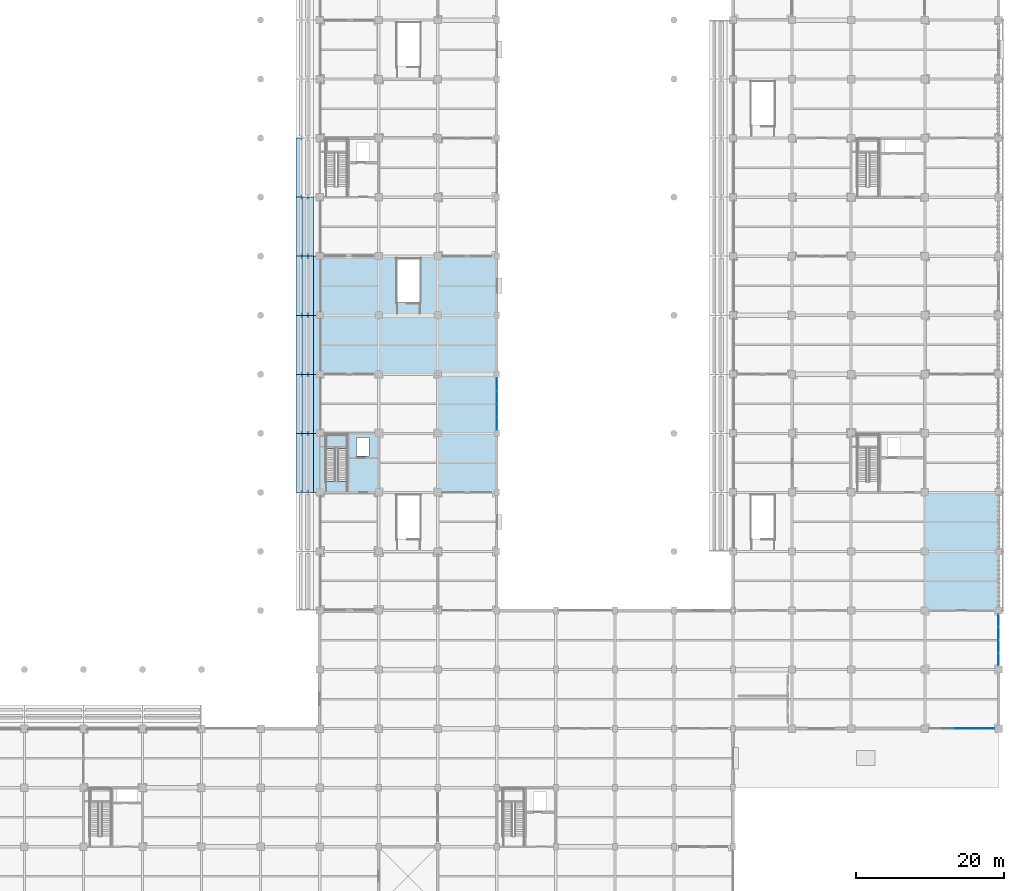
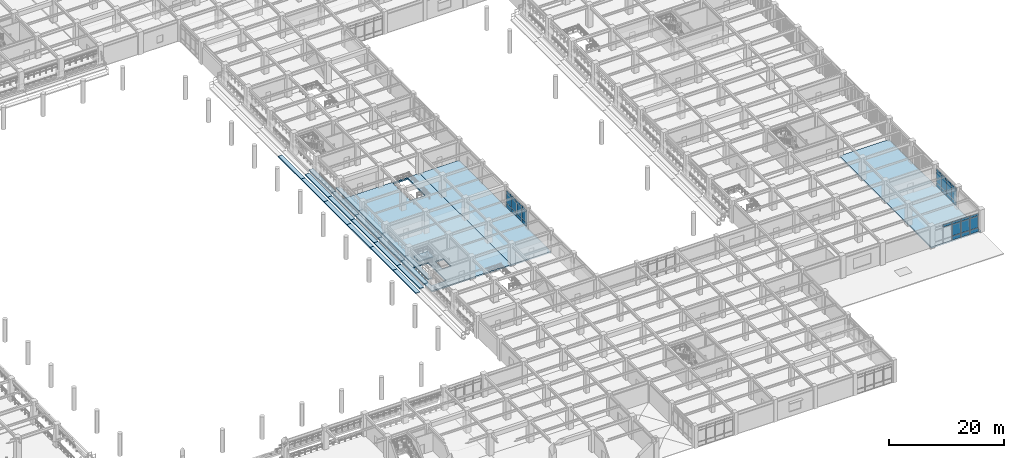
# One storey, part 63 of 117: 34 plates, 24 slabs, 4 elements without a shape of their own.
"""IFC4 building model written with IfcOpenShell, lengths in metres."""

import ifcopenshell
import ifcopenshell.guid

model = None  # the IFC model being written
_history = None  # IfcOwnerHistory: only IFC2X3 demands one
_inside = {}  # id of a spatial element -> (the spatial element, [elements in it])
_under = {}  # id of a project, library or spatial element -> (it, [spatial elements below it])
_declared = {}  # id of a project -> (the project, [libraries it declares])
_typed = {}  # id of a type object -> (the type object, [elements of that type])
_made_of = {}  # id of a material, layer set ... -> (it, [elements and type objects made of it])


def new_model(schema):
    """Start an empty IFC model of exactly this schema.

    Asked for "IFC4X3", IfcOpenShell would pick the latest addendum, in which some entities
    have other attributes; the version numbers below select the first issue.
    IFC2X3 requires an IfcOwnerHistory on every rooted entity: one is made here for all.
    """
    global model, _history
    if schema == "IFC4X3":
        model = ifcopenshell.file(schema_version=(4, 3, 0, 0))
    else:
        model = ifcopenshell.file(schema=schema)
    _inside.clear()
    _under.clear()
    _declared.clear()
    _typed.clear()
    _made_of.clear()
    _history = None
    if model.schema == "IFC2X3":
        org = make("IfcOrganization", Name="unknown")
        user = make(
            "IfcPersonAndOrganization",
            ThePerson=make("IfcPerson", FamilyName="unknown"),
            TheOrganization=org,
        )
        app = make(
            "IfcApplication",
            ApplicationDeveloper=org,
            Version="unknown",
            ApplicationFullName="unknown",
            ApplicationIdentifier="unknown",
        )
        _history = make(
            "IfcOwnerHistory",
            OwningUser=user,
            OwningApplication=app,
            ChangeAction="ADDED",
            CreationDate=0,
        )
    return model


def make(cls, **values):
    """One entity of the class cls with the attributes given. An attribute that is None is left unset."""
    return model.create_entity(
        cls, **{name: value for name, value in values.items() if value is not None}
    )


def rooted(cls, **values):
    """An entity with a GlobalId (a new one), such as an element, a storey or a relation."""
    return make(cls, GlobalId=ifcopenshell.guid.new(), OwnerHistory=_history, **values)


def si_unit(unit_type, name, prefix=None):
    """IfcSIUnit, for example si_unit("LENGTHUNIT", "METRE", prefix="MILLI")."""
    return make("IfcSIUnit", UnitType=unit_type, Prefix=prefix, Name=name)


def assignment(units):
    """IfcUnitAssignment: the units of a project."""
    return None if units is None else make("IfcUnitAssignment", Units=units)


def point(xyz):
    """IfcCartesianPoint."""
    return None if xyz is None else make("IfcCartesianPoint", Coordinates=xyz)


def direction(xyz):
    """IfcDirection."""
    return None if xyz is None else make("IfcDirection", DirectionRatios=xyz)


def frame(location, z_axis=None, x_axis=None):
    """IfcAxis2Placement3D, a coordinate frame: its origin and axes. An axis left out is left unset."""
    return make(
        "IfcAxis2Placement3D",
        Location=point(location),
        Axis=direction(z_axis),
        RefDirection=direction(x_axis),
    )


def frame_2d(location, x_axis=None):
    """IfcAxis2Placement2D, a coordinate frame in the plane: its origin and x axis."""
    return make(
        "IfcAxis2Placement2D", Location=point(location), RefDirection=direction(x_axis)
    )


def origin():
    """The frame at (0, 0, 0) with its axes left unset."""
    return frame((0.0, 0.0, 0.0))


def origin_2d():
    """The frame at (0, 0) in the plane with its x axis left unset."""
    return frame_2d((0.0, 0.0))


def place(relative_to, where):
    """IfcLocalPlacement: puts the frame where relative to a parent placement (None: the world)."""
    return make(
        "IfcLocalPlacement", PlacementRelTo=relative_to, RelativePlacement=where
    )


def context(
    kind, dimensions, precision=None, world=None, true_north=None, identifier=None
):
    """IfcGeometricRepresentationContext, for example the 3D "Model" context."""
    return make(
        "IfcGeometricRepresentationContext",
        ContextIdentifier=identifier,
        ContextType=kind,
        CoordinateSpaceDimension=dimensions,
        Precision=precision,
        WorldCoordinateSystem=world,
        TrueNorth=true_north,
    )


def subcontext(parent, identifier, kind, view, scale=None):
    """IfcGeometricRepresentationSubContext, for example "Body" below "Model"."""
    return make(
        "IfcGeometricRepresentationSubContext",
        ContextIdentifier=identifier,
        ContextType=kind,
        ParentContext=parent,
        TargetScale=scale,
        TargetView=view,
    )


def project(units=None, contexts=None):
    """IfcProject with its units and contexts."""
    return rooted(
        "IfcProject",
        Name="project",
        RepresentationContexts=contexts,
        UnitsInContext=assignment(units),
    )


def spatial(cls, under=None, at=None, **own):
    """A site, building, storey or space (cls), placed at a placement, below another one or the project."""
    s = rooted(cls, ObjectPlacement=at, **own)
    if under is not None:
        _under.setdefault(under.id(), (under, []))[1].append(s)
    return s


def polyline(points):
    """IfcPolyline through the points."""
    return make("IfcPolyline", Points=[point(p) for p in points])


def profile(cls, at=None, kind="AREA", **sizes):
    """A parametric profile (cls). Its sizes go by their IFC names, for example OverallWidth=200.0."""
    return make(cls, ProfileType=kind, Position=at, **sizes)


def rectangle(**sizes):
    """IfcRectangleProfileDef."""
    return profile("IfcRectangleProfileDef", **sizes)


def outline(outer, holes=None, kind="AREA"):
    """IfcArbitraryClosedProfileDef: a profile drawn as a closed curve; with holes, ...WithVoids."""
    if holes is None:
        return make("IfcArbitraryClosedProfileDef", ProfileType=kind, OuterCurve=outer)
    return make(
        "IfcArbitraryProfileDefWithVoids",
        ProfileType=kind,
        OuterCurve=outer,
        InnerCurves=holes,
    )


def extrude(swept, where, along, depth):
    """IfcExtrudedAreaSolid: the profile swept, set in the frame where, extruded along a direction by depth."""
    return make(
        "IfcExtrudedAreaSolid",
        SweptArea=swept,
        Position=where,
        ExtrudedDirection=direction(along),
        Depth=depth,
    )


def shape(context_of_items, identifier, shape_type, items):
    """IfcShapeRepresentation: the items that make up one representation, for example the "Body"."""
    return make(
        "IfcShapeRepresentation",
        ContextOfItems=context_of_items,
        RepresentationIdentifier=identifier,
        RepresentationType=shape_type,
        Items=items,
    )


def material(Name=None, Category=None):
    """IfcMaterial."""
    return make("IfcMaterial", Name=Name, Category=Category)


def layer(
    of_material, thickness, ventilated=None, Name=None, Category=None, Priority=None
):
    """IfcMaterialLayer: one layer of a wall or slab, of a material (None: an air gap)."""
    return make(
        "IfcMaterialLayer",
        Material=of_material,
        LayerThickness=thickness,
        IsVentilated=ventilated,
        Name=Name,
        Category=Category,
        Priority=Priority,
    )


def layer_set(layers, Name=None):
    """IfcMaterialLayerSet."""
    return make("IfcMaterialLayerSet", MaterialLayers=layers, LayerSetName=Name)


def made_of(thing, what):
    """Note that an element or type object is made of a material, layer set ...; save() writes the relation."""
    if what is not None:
        _made_of.setdefault(what.id(), (what, []))[1].append(thing)
    return thing


def type_object(cls, material=None, **own):
    """A type object (cls), such as IfcWallType, which elements share."""
    return made_of(rooted(cls, **own), material)


def element(
    cls,
    number,
    at=None,
    inside=None,
    cuts=None,
    type_object=None,
    material=None,
    context=None,
    identifier="Body",
    shape_type=None,
    held_by="IfcProductDefinitionShape",
    body=None,
    shapes=None,
    **own,
):
    """One element of the class cls, such as IfcWall. Its Tag is "e" and its number.

    at: its placement. inside: the storey or other place that contains it. cuts: it is an
    opening in that element (IfcRelVoidsElement). A single representation is given by context,
    identifier, shape_type and body (its items); several are given by shapes. held_by: the class
    of the entity that holds the representations. save() writes the other relations.
    """
    e = rooted(cls, Tag="e%d" % number, ObjectPlacement=at, **own)
    if body is not None:
        shapes = [shape(context, identifier, shape_type, body)]
    if shapes is not None:
        e.Representation = make(held_by, Representations=shapes)
    if inside is not None:
        _inside.setdefault(inside.id(), (inside, []))[1].append(e)
    if cuts is not None:
        rooted(
            "IfcRelVoidsElement", RelatingBuildingElement=cuts, RelatedOpeningElement=e
        )
    if type_object is not None:
        _typed.setdefault(type_object.id(), (type_object, []))[1].append(e)
    return made_of(e, material)


def aggregate(whole, parts):
    """IfcRelAggregates: a whole, such as a stair, and the parts it consists of."""
    return rooted("IfcRelAggregates", RelatingObject=whole, RelatedObjects=parts)


def save(model, path):
    """Write the relations noted so far, then the file.

    IfcRelAggregates (storeys below a building ...), IfcRelContainedInSpatialStructure (elements
    in a storey), IfcRelDefinesByType, IfcRelAssociatesMaterial and IfcRelDeclares: one each for
    every whole, place, type object, material and project.
    """
    for whole, parts in _under.values():
        aggregate(whole, parts)
    for where, things in _inside.values():
        rooted(
            "IfcRelContainedInSpatialStructure",
            RelatedElements=things,
            RelatingStructure=where,
        )
    for kind, things in _typed.values():
        rooted("IfcRelDefinesByType", RelatedObjects=things, RelatingType=kind)
    for what, things in _made_of.values():
        rooted("IfcRelAssociatesMaterial", RelatedObjects=things, RelatingMaterial=what)
    for by, libraries in _declared.values():
        rooted("IfcRelDeclares", RelatingContext=by, RelatedDefinitions=libraries)
    model.write(path)


model = new_model("IFC4")

# Units and contexts
model_context = context("Model", 3, precision=1e-05, world=origin(), true_north=direction((0.0, 1.0)))
body_context = subcontext(model_context, "Body", "Model", "MODEL_VIEW")
ifc_project = project(units=[si_unit("LENGTHUNIT", "METRE"), si_unit("AREAUNIT", "SQUARE_METRE"), si_unit("VOLUMEUNIT", "CUBIC_METRE"), si_unit("PLANEANGLEUNIT", "RADIAN"), si_unit("MASSUNIT", "GRAM", prefix="KILO")], contexts=[model_context])

# Site, building, storey
site_placement = place(None, origin())
site = spatial("IfcSite", under=ifc_project, at=site_placement, CompositionType="ELEMENT")
building_placement = place(site_placement, origin())
building = spatial("IfcBuilding", under=site, at=building_placement, Name="Haebicheon Civic Stadium", CompositionType="ELEMENT")
storey_placement = place(building_placement, frame((0.0, 0.0, 4.800048828125)))
storey = spatial("IfcBuildingStorey", under=building, at=storey_placement, Name="L02", CompositionType="ELEMENT", Elevation=4.800048828125)

# Curtain wall, plates
ifc_material_1 = material(Name="Anodised aluminium and laminated glass", Category="aluminium")
ifc_layer_1 = layer(ifc_material_1, 0.179931640625, Name="Anodised aluminium and laminated glass")
ifc_layer_set_1 = layer_set([ifc_layer_1], Name="Anodised aluminium and laminated glass")
curtain_wall_type_1 = type_object("IfcCurtainWallType", Name="CW-7100x3610", PredefinedType="NOTDEFINED", material=ifc_layer_set_1)
curtain_wall_1_placement = place(storey_placement, origin())
curtain_wall_1 = element("IfcCurtainWall", 1, at=curtain_wall_1_placement, inside=storey, type_object=curtain_wall_type_1, material=ifc_layer_set_1, Name="L02 unitised curtain wall 055", PredefinedType="NOTDEFINED")
ifc_material_2 = material(Name="Double low-e laminated glass", Category="glass")
ifc_layer_2 = layer(ifc_material_2, 0.028076171875, Name="Double low-e laminated glass")
ifc_layer_set_2 = layer_set([ifc_layer_2], Name="Double low-e laminated glass")
plate_type_1 = type_object("IfcPlateType", Name="CWP-GLZ-28", PredefinedType="CURTAIN_PANEL", material=ifc_layer_set_2)
plate_1_placement = place(storey_placement, frame((168.0, 73.35498046875, 0.93505859375), z_axis=(0.0, 0.0, 1.0), x_axis=(0.0, 1.0, 0.0)))
plate_1 = element("IfcPlate", 2, at=plate_1_placement, type_object=plate_type_1, material=ifc_layer_set_2, Name="CW-L02-055 vision panel 1.2", PredefinedType="CURTAIN_PANEL", context=body_context, shape_type="SweptSolid", body=[
    extrude(rectangle(XDim=1.669921875, YDim=0.028076171875, at=origin_2d()), origin(), (0.0, 0.0, 1.0), 2.090087890625),
])
plate_2_placement = place(storey_placement, frame((168.0, 75.112060546875, 0.93505859375), z_axis=(0.0, 0.0, 1.0), x_axis=(0.0, 1.0, 0.0)))
plate_2 = element("IfcPlate", 3, at=plate_2_placement, type_object=plate_type_1, material=ifc_layer_set_2, Name="CW-L02-055 vision panel 2.2", PredefinedType="CURTAIN_PANEL", context=body_context, shape_type="SweptSolid", body=[
    extrude(rectangle(XDim=1.705078125, YDim=0.028076171875, at=origin_2d()), origin(), (0.0, 0.0, 1.0), 2.090087890625),
])
plate_3_placement = place(storey_placement, frame((168.0, 76.887939453125, 0.93505859375), z_axis=(0.0, 0.0, 1.0), x_axis=(0.0, 1.0, 0.0)))
plate_3 = element("IfcPlate", 4, at=plate_3_placement, type_object=plate_type_1, material=ifc_layer_set_2, Name="CW-L02-055 vision panel 3.2", PredefinedType="CURTAIN_PANEL", context=body_context, shape_type="SweptSolid", body=[
    extrude(rectangle(XDim=1.705078125, YDim=0.028076171875, at=origin_2d()), origin(), (0.0, 0.0, 1.0), 2.090087890625),
])
plate_4_placement = place(storey_placement, frame((168.0, 78.64501953125, 0.93505859375), z_axis=(0.0, 0.0, 1.0), x_axis=(0.0, 1.0, 0.0)))
plate_4 = element("IfcPlate", 5, at=plate_4_placement, type_object=plate_type_1, material=ifc_layer_set_2, Name="CW-L02-055 vision panel 4.2", PredefinedType="CURTAIN_PANEL", context=body_context, shape_type="SweptSolid", body=[
    extrude(rectangle(XDim=1.669921875, YDim=0.028076171875, at=origin_2d()), origin(), (0.0, 0.0, 1.0), 2.090087890625),
])

ifc_material_3 = material(Name="Anodised aluminium and laminated glass", Category="aluminium")
ifc_layer_3 = layer(ifc_material_3, 0.179931640625, Name="Anodised aluminium and laminated glass")
ifc_layer_set_3 = layer_set([ifc_layer_3], Name="Anodised aluminium and laminated glass")
curtain_wall_type_2 = type_object("IfcCurtainWallType", Name="CW-9000x3950", PredefinedType="NOTDEFINED", material=ifc_layer_set_3)
curtain_wall_2_placement = place(storey_placement, origin())
curtain_wall_2 = element("IfcCurtainWall", 6, at=curtain_wall_2_placement, inside=storey, type_object=curtain_wall_type_2, material=ifc_layer_set_3, Name="L02 unitised curtain wall 064", PredefinedType="NOTDEFINED")
plate_5_placement = place(storey_placement, frame((231.0, 32.0, 0.93505859375), z_axis=(0.0, 0.0, 1.0), x_axis=(1.0, 0.0, 0.0)))
plate_5 = element("IfcPlate", 7, at=plate_5_placement, type_object=plate_type_1, material=ifc_layer_set_2, Name="CW-L02-064 vision panel 3.2", PredefinedType="CURTAIN_PANEL", context=body_context, shape_type="SweptSolid", body=[
    extrude(rectangle(XDim=1.72998046875, YDim=0.028076171875, at=origin_2d()), origin(), (0.0, 0.0, 1.0), 2.429931640625),
])
plate_6_placement = place(storey_placement, frame((232.800048828125, 32.0, 0.93505859375), z_axis=(0.0, 0.0, 1.0), x_axis=(1.0, 0.0, 0.0)))
plate_6 = element("IfcPlate", 8, at=plate_6_placement, type_object=plate_type_1, material=ifc_layer_set_2, Name="CW-L02-064 vision panel 4.2", PredefinedType="CURTAIN_PANEL", context=body_context, shape_type="SweptSolid", body=[
    extrude(rectangle(XDim=1.72998046875, YDim=0.028076171875, at=origin_2d()), origin(), (0.0, 0.0, 1.0), 2.429931640625),
])
plate_7_placement = place(storey_placement, frame((234.58203125, 32.0, 0.93505859375), z_axis=(0.0, 0.0, 1.0), x_axis=(1.0, 0.0, 0.0)))
plate_7 = element("IfcPlate", 9, at=plate_7_placement, type_object=plate_type_1, material=ifc_layer_set_2, Name="CW-L02-064 vision panel 5.2", PredefinedType="CURTAIN_PANEL", context=body_context, shape_type="SweptSolid", body=[
    extrude(rectangle(XDim=1.695068359375, YDim=0.028076171875, at=origin_2d()), origin(), (0.0, 0.0, 1.0), 2.429931640625),
])

ifc_material_4 = material(Name="Anodised aluminium and laminated glass", Category="aluminium")
ifc_layer_4 = layer(ifc_material_4, 0.179931640625, Name="Anodised aluminium and laminated glass")
ifc_layer_set_4 = layer_set([ifc_layer_4], Name="Anodised aluminium and laminated glass")
curtain_wall_type_3 = type_object("IfcCurtainWallType", Name="CW-7000x3810", PredefinedType="NOTDEFINED", material=ifc_layer_set_4)
curtain_wall_3_placement = place(storey_placement, origin())
curtain_wall_3 = element("IfcCurtainWall", 10, at=curtain_wall_3_placement, inside=storey, type_object=curtain_wall_type_3, material=ifc_layer_set_4, Name="L02 unitised curtain wall 065", PredefinedType="NOTDEFINED")
plate_8_placement = place(storey_placement, frame((236.0, 41.39208984375, 0.934814453125), z_axis=(0.0, 0.0, 1.0), x_axis=(0.0, 1.0, 0.0)))
plate_8 = element("IfcPlate", 11, at=plate_8_placement, type_object=plate_type_1, material=ifc_layer_set_2, Name="CW-L02-065 vision panel 1.2", PredefinedType="CURTAIN_PANEL", context=body_context, shape_type="SweptSolid", body=[
    extrude(rectangle(XDim=1.64501953125, YDim=0.028076171875, at=origin_2d()), origin(), (0.0, 0.0, 1.0), 2.2900390625),
])
plate_9_placement = place(storey_placement, frame((236.0, 43.125, 0.934814453125), z_axis=(0.0, 0.0, 1.0), x_axis=(0.0, 1.0, 0.0)))
plate_9 = element("IfcPlate", 12, at=plate_9_placement, type_object=plate_type_1, material=ifc_layer_set_2, Name="CW-L02-065 vision panel 2.2", PredefinedType="CURTAIN_PANEL", context=body_context, shape_type="SweptSolid", body=[
    extrude(rectangle(XDim=1.679931640625, YDim=0.028076171875, at=origin_2d()), origin(), (0.0, 0.0, 1.0), 2.2900390625),
])
plate_10_placement = place(storey_placement, frame((236.0, 44.875, 0.934814453125), z_axis=(0.0, 0.0, 1.0), x_axis=(0.0, 1.0, 0.0)))
plate_10 = element("IfcPlate", 13, at=plate_10_placement, type_object=plate_type_1, material=ifc_layer_set_2, Name="CW-L02-065 vision panel 3.2", PredefinedType="CURTAIN_PANEL", context=body_context, shape_type="SweptSolid", body=[
    extrude(rectangle(XDim=1.679931640625, YDim=0.028076171875, at=origin_2d()), origin(), (0.0, 0.0, 1.0), 2.2900390625),
])
plate_11_placement = place(storey_placement, frame((236.0, 46.60791015625, 0.934814453125), z_axis=(0.0, 0.0, 1.0), x_axis=(0.0, 1.0, 0.0)))
plate_11 = element("IfcPlate", 14, at=plate_11_placement, type_object=plate_type_1, material=ifc_layer_set_2, Name="CW-L02-065 vision panel 4.2", PredefinedType="CURTAIN_PANEL", context=body_context, shape_type="SweptSolid", body=[
    extrude(rectangle(XDim=1.64501953125, YDim=0.028076171875, at=origin_2d()), origin(), (0.0, 0.0, 1.0), 2.2900390625),
])

# Plate
ifc_material_5 = material(Name="Anodised aluminium 6063-T6", Category="aluminium")
ifc_layer_5 = layer(ifc_material_5, 0.053955078125, Name="Anodised aluminium 6063-T6")
ifc_layer_set_5 = layer_set([ifc_layer_5], Name="Anodised aluminium 6063-T6")
plate_type_2 = type_object("IfcPlateType", Name="CWP-SPD-54", PredefinedType="CURTAIN_PANEL", material=ifc_layer_set_5)
plate_12_placement = place(storey_placement, frame((168.0, 73.35498046875, 0.034912109375), z_axis=(0.0, 0.0, 1.0), x_axis=(0.0, 1.0, 0.0)))
plate_12 = element("IfcPlate", 15, at=plate_12_placement, type_object=plate_type_2, material=ifc_layer_set_5, Name="CW-L02-055 spandrel panel 1.1", PredefinedType="CURTAIN_PANEL", context=body_context, shape_type="SweptSolid", body=[
    extrude(rectangle(XDim=1.669921875, YDim=0.053955078125, at=origin_2d()), origin(), (0.0, 0.0, 1.0), 0.830078125),
])

plate_13_placement = place(storey_placement, frame((168.0, 73.35498046875, 3.094970703125), z_axis=(0.0, 0.0, 1.0), x_axis=(0.0, 1.0, 0.0)))
plate_13 = element("IfcPlate", 16, at=plate_13_placement, type_object=plate_type_2, material=ifc_layer_set_5, Name="CW-L02-055 spandrel panel 1.3", PredefinedType="CURTAIN_PANEL", context=body_context, shape_type="SweptSolid", body=[
    extrude(rectangle(XDim=1.669921875, YDim=0.053955078125, at=origin_2d()), origin(), (0.0, 0.0, 1.0), 0.47998046875),
])

plate_14_placement = place(storey_placement, frame((168.0, 75.112060546875, 0.034912109375), z_axis=(0.0, 0.0, 1.0), x_axis=(0.0, 1.0, 0.0)))
plate_14 = element("IfcPlate", 17, at=plate_14_placement, type_object=plate_type_2, material=ifc_layer_set_5, Name="CW-L02-055 spandrel panel 2.1", PredefinedType="CURTAIN_PANEL", context=body_context, shape_type="SweptSolid", body=[
    extrude(rectangle(XDim=1.705078125, YDim=0.053955078125, at=origin_2d()), origin(), (0.0, 0.0, 1.0), 0.830078125),
])

plate_15_placement = place(storey_placement, frame((168.0, 75.112060546875, 3.094970703125), z_axis=(0.0, 0.0, 1.0), x_axis=(0.0, 1.0, 0.0)))
plate_15 = element("IfcPlate", 18, at=plate_15_placement, type_object=plate_type_2, material=ifc_layer_set_5, Name="CW-L02-055 spandrel panel 2.3", PredefinedType="CURTAIN_PANEL", context=body_context, shape_type="SweptSolid", body=[
    extrude(rectangle(XDim=1.705078125, YDim=0.053955078125, at=origin_2d()), origin(), (0.0, 0.0, 1.0), 0.47998046875),
])

plate_16_placement = place(storey_placement, frame((168.0, 76.887939453125, 0.034912109375), z_axis=(0.0, 0.0, 1.0), x_axis=(0.0, 1.0, 0.0)))
plate_16 = element("IfcPlate", 19, at=plate_16_placement, type_object=plate_type_2, material=ifc_layer_set_5, Name="CW-L02-055 spandrel panel 3.1", PredefinedType="CURTAIN_PANEL", context=body_context, shape_type="SweptSolid", body=[
    extrude(rectangle(XDim=1.705078125, YDim=0.053955078125, at=origin_2d()), origin(), (0.0, 0.0, 1.0), 0.830078125),
])

plate_17_placement = place(storey_placement, frame((168.0, 76.887939453125, 3.094970703125), z_axis=(0.0, 0.0, 1.0), x_axis=(0.0, 1.0, 0.0)))
plate_17 = element("IfcPlate", 20, at=plate_17_placement, type_object=plate_type_2, material=ifc_layer_set_5, Name="CW-L02-055 spandrel panel 3.3", PredefinedType="CURTAIN_PANEL", context=body_context, shape_type="SweptSolid", body=[
    extrude(rectangle(XDim=1.705078125, YDim=0.053955078125, at=origin_2d()), origin(), (0.0, 0.0, 1.0), 0.47998046875),
])

plate_18_placement = place(storey_placement, frame((168.0, 78.64501953125, 0.034912109375), z_axis=(0.0, 0.0, 1.0), x_axis=(0.0, 1.0, 0.0)))
plate_18 = element("IfcPlate", 21, at=plate_18_placement, type_object=plate_type_2, material=ifc_layer_set_5, Name="CW-L02-055 spandrel panel 4.1", PredefinedType="CURTAIN_PANEL", context=body_context, shape_type="SweptSolid", body=[
    extrude(rectangle(XDim=1.669921875, YDim=0.053955078125, at=origin_2d()), origin(), (0.0, 0.0, 1.0), 0.830078125),
])

plate_19_placement = place(storey_placement, frame((168.0, 78.64501953125, 3.094970703125), z_axis=(0.0, 0.0, 1.0), x_axis=(0.0, 1.0, 0.0)))
plate_19 = element("IfcPlate", 22, at=plate_19_placement, type_object=plate_type_2, material=ifc_layer_set_5, Name="CW-L02-055 spandrel panel 4.3", PredefinedType="CURTAIN_PANEL", context=body_context, shape_type="SweptSolid", body=[
    extrude(rectangle(XDim=1.669921875, YDim=0.053955078125, at=origin_2d()), origin(), (0.0, 0.0, 1.0), 0.47998046875),
])

aggregate(curtain_wall_1, [plate_12, plate_1, plate_13, plate_14, plate_2, plate_15, plate_16, plate_3, plate_17, plate_18, plate_4, plate_19])

plate_20_placement = place(storey_placement, frame((229.199951171875, 32.0, 3.43505859375), z_axis=(0.0, 0.0, 1.0), x_axis=(1.0, 0.0, 0.0)))
plate_20 = element("IfcPlate", 23, at=plate_20_placement, type_object=plate_type_2, material=ifc_layer_set_5, Name="CW-L02-064 spandrel panel 2.3", PredefinedType="CURTAIN_PANEL", context=body_context, shape_type="SweptSolid", body=[
    extrude(rectangle(XDim=1.72998046875, YDim=0.053955078125, at=origin_2d()), origin(), (0.0, 0.0, 1.0), 0.47998046875),
])

plate_21_placement = place(storey_placement, frame((231.0, 32.0, 0.034912109375), z_axis=(0.0, 0.0, 1.0), x_axis=(1.0, 0.0, 0.0)))
plate_21 = element("IfcPlate", 24, at=plate_21_placement, type_object=plate_type_2, material=ifc_layer_set_5, Name="CW-L02-064 spandrel panel 3.1", PredefinedType="CURTAIN_PANEL", context=body_context, shape_type="SweptSolid", body=[
    extrude(rectangle(XDim=1.72998046875, YDim=0.053955078125, at=origin_2d()), origin(), (0.0, 0.0, 1.0), 0.830078125),
])

plate_22_placement = place(storey_placement, frame((231.0, 32.0, 3.43505859375), z_axis=(0.0, 0.0, 1.0), x_axis=(1.0, 0.0, 0.0)))
plate_22 = element("IfcPlate", 25, at=plate_22_placement, type_object=plate_type_2, material=ifc_layer_set_5, Name="CW-L02-064 spandrel panel 3.3", PredefinedType="CURTAIN_PANEL", context=body_context, shape_type="SweptSolid", body=[
    extrude(rectangle(XDim=1.72998046875, YDim=0.053955078125, at=origin_2d()), origin(), (0.0, 0.0, 1.0), 0.47998046875),
])

plate_23_placement = place(storey_placement, frame((232.800048828125, 32.0, 0.034912109375), z_axis=(0.0, 0.0, 1.0), x_axis=(1.0, 0.0, 0.0)))
plate_23 = element("IfcPlate", 26, at=plate_23_placement, type_object=plate_type_2, material=ifc_layer_set_5, Name="CW-L02-064 spandrel panel 4.1", PredefinedType="CURTAIN_PANEL", context=body_context, shape_type="SweptSolid", body=[
    extrude(rectangle(XDim=1.72998046875, YDim=0.053955078125, at=origin_2d()), origin(), (0.0, 0.0, 1.0), 0.830078125),
])

plate_24_placement = place(storey_placement, frame((232.800048828125, 32.0, 3.43505859375), z_axis=(0.0, 0.0, 1.0), x_axis=(1.0, 0.0, 0.0)))
plate_24 = element("IfcPlate", 27, at=plate_24_placement, type_object=plate_type_2, material=ifc_layer_set_5, Name="CW-L02-064 spandrel panel 4.3", PredefinedType="CURTAIN_PANEL", context=body_context, shape_type="SweptSolid", body=[
    extrude(rectangle(XDim=1.72998046875, YDim=0.053955078125, at=origin_2d()), origin(), (0.0, 0.0, 1.0), 0.47998046875),
])

plate_25_placement = place(storey_placement, frame((234.58203125, 32.0, 0.034912109375), z_axis=(0.0, 0.0, 1.0), x_axis=(1.0, 0.0, 0.0)))
plate_25 = element("IfcPlate", 28, at=plate_25_placement, type_object=plate_type_2, material=ifc_layer_set_5, Name="CW-L02-064 spandrel panel 5.1", PredefinedType="CURTAIN_PANEL", context=body_context, shape_type="SweptSolid", body=[
    extrude(rectangle(XDim=1.695068359375, YDim=0.053955078125, at=origin_2d()), origin(), (0.0, 0.0, 1.0), 0.830078125),
])

plate_26_placement = place(storey_placement, frame((234.58203125, 32.0, 3.43505859375), z_axis=(0.0, 0.0, 1.0), x_axis=(1.0, 0.0, 0.0)))
plate_26 = element("IfcPlate", 29, at=plate_26_placement, type_object=plate_type_2, material=ifc_layer_set_5, Name="CW-L02-064 spandrel panel 5.3", PredefinedType="CURTAIN_PANEL", context=body_context, shape_type="SweptSolid", body=[
    extrude(rectangle(XDim=1.695068359375, YDim=0.053955078125, at=origin_2d()), origin(), (0.0, 0.0, 1.0), 0.47998046875),
])

aggregate(curtain_wall_2, [plate_20, plate_21, plate_5, plate_22, plate_23, plate_6, plate_24, plate_25, plate_7, plate_26])

plate_27_placement = place(storey_placement, frame((236.0, 41.39208984375, 0.034912109375), z_axis=(0.0, 0.0, 1.0), x_axis=(0.0, 1.0, 0.0)))
plate_27 = element("IfcPlate", 30, at=plate_27_placement, type_object=plate_type_2, material=ifc_layer_set_5, Name="CW-L02-065 spandrel panel 1.1", PredefinedType="CURTAIN_PANEL", context=body_context, shape_type="SweptSolid", body=[
    extrude(rectangle(XDim=1.64501953125, YDim=0.053955078125, at=origin_2d()), origin(), (0.0, 0.0, 1.0), 0.830078125),
])

plate_28_placement = place(storey_placement, frame((236.0, 41.39208984375, 3.294921875), z_axis=(0.0, 0.0, 1.0), x_axis=(0.0, 1.0, 0.0)))
plate_28 = element("IfcPlate", 31, at=plate_28_placement, type_object=plate_type_2, material=ifc_layer_set_5, Name="CW-L02-065 spandrel panel 1.3", PredefinedType="CURTAIN_PANEL", context=body_context, shape_type="SweptSolid", body=[
    extrude(rectangle(XDim=1.64501953125, YDim=0.053955078125, at=origin_2d()), origin(), (0.0, 0.0, 1.0), 0.47998046875),
])

plate_29_placement = place(storey_placement, frame((236.0, 43.125, 0.034912109375), z_axis=(0.0, 0.0, 1.0), x_axis=(0.0, 1.0, 0.0)))
plate_29 = element("IfcPlate", 32, at=plate_29_placement, type_object=plate_type_2, material=ifc_layer_set_5, Name="CW-L02-065 spandrel panel 2.1", PredefinedType="CURTAIN_PANEL", context=body_context, shape_type="SweptSolid", body=[
    extrude(rectangle(XDim=1.679931640625, YDim=0.053955078125, at=origin_2d()), origin(), (0.0, 0.0, 1.0), 0.830078125),
])

plate_30_placement = place(storey_placement, frame((236.0, 43.125, 3.294921875), z_axis=(0.0, 0.0, 1.0), x_axis=(0.0, 1.0, 0.0)))
plate_30 = element("IfcPlate", 33, at=plate_30_placement, type_object=plate_type_2, material=ifc_layer_set_5, Name="CW-L02-065 spandrel panel 2.3", PredefinedType="CURTAIN_PANEL", context=body_context, shape_type="SweptSolid", body=[
    extrude(rectangle(XDim=1.679931640625, YDim=0.053955078125, at=origin_2d()), origin(), (0.0, 0.0, 1.0), 0.47998046875),
])

plate_31_placement = place(storey_placement, frame((236.0, 44.875, 0.034912109375), z_axis=(0.0, 0.0, 1.0), x_axis=(0.0, 1.0, 0.0)))
plate_31 = element("IfcPlate", 34, at=plate_31_placement, type_object=plate_type_2, material=ifc_layer_set_5, Name="CW-L02-065 spandrel panel 3.1", PredefinedType="CURTAIN_PANEL", context=body_context, shape_type="SweptSolid", body=[
    extrude(rectangle(XDim=1.679931640625, YDim=0.053955078125, at=origin_2d()), origin(), (0.0, 0.0, 1.0), 0.830078125),
])

plate_32_placement = place(storey_placement, frame((236.0, 44.875, 3.294921875), z_axis=(0.0, 0.0, 1.0), x_axis=(0.0, 1.0, 0.0)))
plate_32 = element("IfcPlate", 35, at=plate_32_placement, type_object=plate_type_2, material=ifc_layer_set_5, Name="CW-L02-065 spandrel panel 3.3", PredefinedType="CURTAIN_PANEL", context=body_context, shape_type="SweptSolid", body=[
    extrude(rectangle(XDim=1.679931640625, YDim=0.053955078125, at=origin_2d()), origin(), (0.0, 0.0, 1.0), 0.47998046875),
])

plate_33_placement = place(storey_placement, frame((236.0, 46.60791015625, 0.034912109375), z_axis=(0.0, 0.0, 1.0), x_axis=(0.0, 1.0, 0.0)))
plate_33 = element("IfcPlate", 36, at=plate_33_placement, type_object=plate_type_2, material=ifc_layer_set_5, Name="CW-L02-065 spandrel panel 4.1", PredefinedType="CURTAIN_PANEL", context=body_context, shape_type="SweptSolid", body=[
    extrude(rectangle(XDim=1.64501953125, YDim=0.053955078125, at=origin_2d()), origin(), (0.0, 0.0, 1.0), 0.830078125),
])

plate_34_placement = place(storey_placement, frame((236.0, 46.60791015625, 3.294921875), z_axis=(0.0, 0.0, 1.0), x_axis=(0.0, 1.0, 0.0)))
plate_34 = element("IfcPlate", 37, at=plate_34_placement, type_object=plate_type_2, material=ifc_layer_set_5, Name="CW-L02-065 spandrel panel 4.3", PredefinedType="CURTAIN_PANEL", context=body_context, shape_type="SweptSolid", body=[
    extrude(rectangle(XDim=1.64501953125, YDim=0.053955078125, at=origin_2d()), origin(), (0.0, 0.0, 1.0), 0.47998046875),
])

aggregate(curtain_wall_3, [plate_27, plate_8, plate_28, plate_29, plate_9, plate_30, plate_31, plate_10, plate_32, plate_33, plate_11, plate_34])

# Slabs
ifc_material_6 = material(Name="Concrete C40/50", Category="concrete")
ifc_layer_6 = layer(ifc_material_6, 0.280029296875, Name="Concrete C40/50")
ifc_layer_set_6 = layer_set([ifc_layer_6], Name="Concrete C40/50")
slab_type_1 = type_object("IfcSlabType", Name="SLB-FLR-280", PredefinedType="FLOOR", material=ifc_layer_set_6)
slab_1_placement = place(storey_placement, frame((0.0, 0.0, -0.280029296875)))
element("IfcSlab", 38, at=slab_1_placement, inside=storey, type_object=slab_type_1, material=ifc_layer_set_6, Name="L02 V2 structural slab 9.1", PredefinedType="FLOOR", context=body_context, shape_type="SweptSolid", body=[
    extrude(outline(polyline([(144.0, 80.0), (144.0, 88.0), (144.0, 96.0), (152.0, 96.0), (160.0, 96.0), (160.0, 88.0), (160.0, 80.0), (160.0, 72.0), (160.0, 64.0), (152.0, 64.0), (144.0, 64.0), (144.0, 72.0), (144.0, 80.0)]), holes=[polyline([(144.840087890625, 65.4599609375), (147.739990234375, 65.4599609375), (147.739990234375, 71.840087890625), (144.840087890625, 71.840087890625), (144.840087890625, 65.4599609375)]), polyline([(148.969970703125, 68.929931640625), (150.669921875, 68.929931640625), (150.669921875, 71.429931640625), (148.969970703125, 71.429931640625), (148.969970703125, 68.929931640625)]), polyline([(154.4599609375, 89.699951171875), (157.5, 89.699951171875), (157.5, 95.699951171875), (154.4599609375, 95.699951171875), (154.4599609375, 89.699951171875)])]), origin(), (0.0, 0.0, 1.0), 0.280029296875),
])
slab_2_placement = place(storey_placement, frame((0.0, 0.0, -0.280029296875)))
element("IfcSlab", 39, at=slab_2_placement, inside=storey, type_object=slab_type_1, material=ifc_layer_set_6, Name="L02 V3 structural slab 5.1", PredefinedType="FLOOR", context=body_context, shape_type="SweptSolid", body=[
    extrude(outline(polyline([(226.0, 32.0), (226.0, 40.0), (226.0, 48.0), (226.0, 56.0), (226.0, 64.0), (236.0, 64.0), (236.0, 56.0), (236.0, 48.0), (236.0, 40.0), (236.0, 32.0), (226.0, 32.0)])), origin(), (0.0, 0.0, 1.0), 0.280029296875),
])
slab_3_placement = place(storey_placement, frame((0.0, 0.0, -0.280029296875)))
element("IfcSlab", 40, at=slab_3_placement, inside=storey, type_object=slab_type_1, material=ifc_layer_set_6, Name="L02 V4 structural slab 6.1", PredefinedType="FLOOR", context=body_context, shape_type="SweptSolid", body=[
    extrude(outline(polyline([(160.0, 64.0), (160.0, 72.0), (160.0, 80.0), (160.0, 88.0), (160.0, 96.0), (168.0, 96.0), (168.0, 88.0), (168.0, 80.0), (168.0, 72.0), (168.0, 64.0), (160.0, 64.0)])), origin(), (0.0, 0.0, 1.0), 0.280029296875),
])

# Stair, slab
ifc_material_7 = material(Name="Concrete C40/50", Category="concrete")
stair_type = type_object("IfcStairType", Name="STR-DL-W128-H48", PredefinedType="HALF_TURN_STAIR", material=ifc_material_7)
stair_placement = place(storey_placement, origin())
stair = element("IfcStair", 41, at=stair_placement, inside=storey, type_object=stair_type, material=ifc_material_7, Name="L02 Escape stair ST-10", PredefinedType="HALF_TURN_STAIR")
ifc_material_8 = material(Name="Concrete C40/50", Category="concrete")
ifc_layer_7 = layer(ifc_material_8, 0.199951171875, Name="Concrete C40/50")
ifc_layer_set_7 = layer_set([ifc_layer_7], Name="Concrete C40/50")
slab_type_2 = type_object("IfcSlabType", Name="SLB-LND-200", PredefinedType="LANDING", material=ifc_layer_set_7)
slab_4_placement = place(storey_placement, frame((0.0, 0.0, 2.199951171875)))
slab_4 = element("IfcSlab", 42, at=slab_4_placement, type_object=slab_type_2, material=ifc_layer_set_7, Name="ST-10 landing 1", PredefinedType="LANDING", context=body_context, shape_type="SweptSolid", body=[
    extrude(outline(polyline([(147.739990234375, 69.949951171875), (147.739990234375, 71.840087890625), (144.840087890625, 71.840087890625), (144.840087890625, 69.949951171875), (147.739990234375, 69.949951171875)])), origin(), (0.0, 0.0, 1.0), 0.199951171875),
])
aggregate(stair, [slab_4])

# Slabs
ifc_material_9 = material(Name="Precast concrete C40/50", Category="concrete")
ifc_layer_8 = layer(ifc_material_9, 0.239990234375, Name="Precast concrete C40/50")
ifc_layer_set_8 = layer_set([ifc_layer_8], Name="Precast concrete C40/50")
slab_type_3 = type_object("IfcSlabType", Name="SLB-TIER-240", PredefinedType="USERDEFINED", material=ifc_layer_set_8)
slab_5_placement = place(storey_placement, frame((0.0, 0.0, 0.427001953125)))
element("IfcSlab", 43, at=slab_5_placement, inside=storey, type_object=slab_type_3, material=ifc_layer_set_8, Name="TIER-E-L precast seating tier bay 3 row-band 7", ObjectType="SEATING TIER", PredefinedType="USERDEFINED", context=body_context, shape_type="SweptSolid", body=[
    extrude(outline(polyline([(140.800048828125, 64.0), (141.60009765625, 64.0), (141.60009765625, 72.0), (140.800048828125, 72.0), (140.800048828125, 64.0)])), origin(), (0.0, 0.0, 1.0), 0.239990234375),
])
slab_6_placement = place(storey_placement, frame((0.0, 0.0, 1.137939453125)))
element("IfcSlab", 44, at=slab_6_placement, inside=storey, type_object=slab_type_3, material=ifc_layer_set_8, Name="TIER-E-L precast seating tier bay 3 row-band 8", ObjectType="SEATING TIER", PredefinedType="USERDEFINED", context=body_context, shape_type="SweptSolid", body=[
    extrude(outline(polyline([(141.60009765625, 64.0), (142.39990234375, 64.0), (142.39990234375, 72.0), (141.60009765625, 72.0), (141.60009765625, 64.0)])), origin(), (0.0, 0.0, 1.0), 0.239990234375),
])
slab_7_placement = place(storey_placement, frame((0.0, 0.0, 1.848876953125)))
element("IfcSlab", 45, at=slab_7_placement, inside=storey, type_object=slab_type_3, material=ifc_layer_set_8, Name="TIER-E-L precast seating tier bay 3 row-band 9", ObjectType="SEATING TIER", PredefinedType="USERDEFINED", context=body_context, shape_type="SweptSolid", body=[
    extrude(outline(polyline([(142.39990234375, 64.0), (143.199951171875, 64.0), (143.199951171875, 72.0), (142.39990234375, 72.0), (142.39990234375, 64.0)])), origin(), (0.0, 0.0, 1.0), 0.239990234375),
])
slab_8_placement = place(storey_placement, frame((0.0, 0.0, 2.56005859375)))
element("IfcSlab", 46, at=slab_8_placement, inside=storey, type_object=slab_type_3, material=ifc_layer_set_8, Name="TIER-E-L precast seating tier bay 3 row-band 10", ObjectType="SEATING TIER", PredefinedType="USERDEFINED", context=body_context, shape_type="SweptSolid", body=[
    extrude(outline(polyline([(143.199951171875, 64.0), (144.0, 64.0), (144.0, 72.0), (143.199951171875, 72.0), (143.199951171875, 64.0)])), origin(), (0.0, 0.0, 1.0), 0.239990234375),
])
slab_9_placement = place(storey_placement, frame((0.0, 0.0, 0.427001953125)))
element("IfcSlab", 47, at=slab_9_placement, inside=storey, type_object=slab_type_3, material=ifc_layer_set_8, Name="TIER-E-L precast seating tier bay 4 row-band 7", ObjectType="SEATING TIER", PredefinedType="USERDEFINED", context=body_context, shape_type="SweptSolid", body=[
    extrude(outline(polyline([(140.800048828125, 72.0), (141.60009765625, 72.0), (141.60009765625, 80.0), (140.800048828125, 80.0), (140.800048828125, 72.0)])), origin(), (0.0, 0.0, 1.0), 0.239990234375),
])
slab_10_placement = place(storey_placement, frame((0.0, 0.0, 1.137939453125)))
element("IfcSlab", 48, at=slab_10_placement, inside=storey, type_object=slab_type_3, material=ifc_layer_set_8, Name="TIER-E-L precast seating tier bay 4 row-band 8", ObjectType="SEATING TIER", PredefinedType="USERDEFINED", context=body_context, shape_type="SweptSolid", body=[
    extrude(outline(polyline([(141.60009765625, 72.0), (142.39990234375, 72.0), (142.39990234375, 80.0), (141.60009765625, 80.0), (141.60009765625, 72.0)])), origin(), (0.0, 0.0, 1.0), 0.239990234375),
])
slab_11_placement = place(storey_placement, frame((0.0, 0.0, 1.848876953125)))
element("IfcSlab", 49, at=slab_11_placement, inside=storey, type_object=slab_type_3, material=ifc_layer_set_8, Name="TIER-E-L precast seating tier bay 4 row-band 9", ObjectType="SEATING TIER", PredefinedType="USERDEFINED", context=body_context, shape_type="SweptSolid", body=[
    extrude(outline(polyline([(142.39990234375, 72.0), (143.199951171875, 72.0), (143.199951171875, 80.0), (142.39990234375, 80.0), (142.39990234375, 72.0)])), origin(), (0.0, 0.0, 1.0), 0.239990234375),
])
slab_12_placement = place(storey_placement, frame((0.0, 0.0, 2.56005859375)))
element("IfcSlab", 50, at=slab_12_placement, inside=storey, type_object=slab_type_3, material=ifc_layer_set_8, Name="TIER-E-L precast seating tier bay 4 row-band 10", ObjectType="SEATING TIER", PredefinedType="USERDEFINED", context=body_context, shape_type="SweptSolid", body=[
    extrude(outline(polyline([(143.199951171875, 72.0), (144.0, 72.0), (144.0, 80.0), (143.199951171875, 80.0), (143.199951171875, 72.0)])), origin(), (0.0, 0.0, 1.0), 0.239990234375),
])
slab_13_placement = place(storey_placement, frame((0.0, 0.0, 0.427001953125)))
element("IfcSlab", 51, at=slab_13_placement, inside=storey, type_object=slab_type_3, material=ifc_layer_set_8, Name="TIER-E-L precast seating tier bay 5 row-band 7", ObjectType="SEATING TIER", PredefinedType="USERDEFINED", context=body_context, shape_type="SweptSolid", body=[
    extrude(outline(polyline([(140.800048828125, 80.0), (141.60009765625, 80.0), (141.60009765625, 88.0), (140.800048828125, 88.0), (140.800048828125, 80.0)])), origin(), (0.0, 0.0, 1.0), 0.239990234375),
])
slab_14_placement = place(storey_placement, frame((0.0, 0.0, 1.137939453125)))
element("IfcSlab", 52, at=slab_14_placement, inside=storey, type_object=slab_type_3, material=ifc_layer_set_8, Name="TIER-E-L precast seating tier bay 5 row-band 8", ObjectType="SEATING TIER", PredefinedType="USERDEFINED", context=body_context, shape_type="SweptSolid", body=[
    extrude(outline(polyline([(141.60009765625, 80.0), (142.39990234375, 80.0), (142.39990234375, 88.0), (141.60009765625, 88.0), (141.60009765625, 80.0)])), origin(), (0.0, 0.0, 1.0), 0.239990234375),
])
slab_15_placement = place(storey_placement, frame((0.0, 0.0, 1.848876953125)))
element("IfcSlab", 53, at=slab_15_placement, inside=storey, type_object=slab_type_3, material=ifc_layer_set_8, Name="TIER-E-L precast seating tier bay 5 row-band 9", ObjectType="SEATING TIER", PredefinedType="USERDEFINED", context=body_context, shape_type="SweptSolid", body=[
    extrude(outline(polyline([(142.39990234375, 80.0), (143.199951171875, 80.0), (143.199951171875, 88.0), (142.39990234375, 88.0), (142.39990234375, 80.0)])), origin(), (0.0, 0.0, 1.0), 0.239990234375),
])
slab_16_placement = place(storey_placement, frame((0.0, 0.0, 2.56005859375)))
element("IfcSlab", 54, at=slab_16_placement, inside=storey, type_object=slab_type_3, material=ifc_layer_set_8, Name="TIER-E-L precast seating tier bay 5 row-band 10", ObjectType="SEATING TIER", PredefinedType="USERDEFINED", context=body_context, shape_type="SweptSolid", body=[
    extrude(outline(polyline([(143.199951171875, 80.0), (144.0, 80.0), (144.0, 88.0), (143.199951171875, 88.0), (143.199951171875, 80.0)])), origin(), (0.0, 0.0, 1.0), 0.239990234375),
])
slab_17_placement = place(storey_placement, frame((0.0, 0.0, 0.427001953125)))
element("IfcSlab", 55, at=slab_17_placement, inside=storey, type_object=slab_type_3, material=ifc_layer_set_8, Name="TIER-E-L precast seating tier bay 6 row-band 7", ObjectType="SEATING TIER", PredefinedType="USERDEFINED", context=body_context, shape_type="SweptSolid", body=[
    extrude(outline(polyline([(140.800048828125, 88.0), (141.60009765625, 88.0), (141.60009765625, 96.0), (140.800048828125, 96.0), (140.800048828125, 88.0)])), origin(), (0.0, 0.0, 1.0), 0.239990234375),
])
slab_18_placement = place(storey_placement, frame((0.0, 0.0, 1.137939453125)))
element("IfcSlab", 56, at=slab_18_placement, inside=storey, type_object=slab_type_3, material=ifc_layer_set_8, Name="TIER-E-L precast seating tier bay 6 row-band 8", ObjectType="SEATING TIER", PredefinedType="USERDEFINED", context=body_context, shape_type="SweptSolid", body=[
    extrude(outline(polyline([(141.60009765625, 88.0), (142.39990234375, 88.0), (142.39990234375, 96.0), (141.60009765625, 96.0), (141.60009765625, 88.0)])), origin(), (0.0, 0.0, 1.0), 0.239990234375),
])
slab_19_placement = place(storey_placement, frame((0.0, 0.0, 1.848876953125)))
element("IfcSlab", 57, at=slab_19_placement, inside=storey, type_object=slab_type_3, material=ifc_layer_set_8, Name="TIER-E-L precast seating tier bay 6 row-band 9", ObjectType="SEATING TIER", PredefinedType="USERDEFINED", context=body_context, shape_type="SweptSolid", body=[
    extrude(outline(polyline([(142.39990234375, 88.0), (143.199951171875, 88.0), (143.199951171875, 96.0), (142.39990234375, 96.0), (142.39990234375, 88.0)])), origin(), (0.0, 0.0, 1.0), 0.239990234375),
])
slab_20_placement = place(storey_placement, frame((0.0, 0.0, 2.56005859375)))
element("IfcSlab", 58, at=slab_20_placement, inside=storey, type_object=slab_type_3, material=ifc_layer_set_8, Name="TIER-E-L precast seating tier bay 6 row-band 10", ObjectType="SEATING TIER", PredefinedType="USERDEFINED", context=body_context, shape_type="SweptSolid", body=[
    extrude(outline(polyline([(143.199951171875, 88.0), (144.0, 88.0), (144.0, 96.0), (143.199951171875, 96.0), (143.199951171875, 88.0)])), origin(), (0.0, 0.0, 1.0), 0.239990234375),
])
slab_21_placement = place(storey_placement, frame((0.0, 0.0, 0.427001953125)))
element("IfcSlab", 59, at=slab_21_placement, inside=storey, type_object=slab_type_3, material=ifc_layer_set_8, Name="TIER-E-L precast seating tier bay 7 row-band 7", ObjectType="SEATING TIER", PredefinedType="USERDEFINED", context=body_context, shape_type="SweptSolid", body=[
    extrude(outline(polyline([(140.800048828125, 96.0), (141.60009765625, 96.0), (141.60009765625, 104.0), (140.800048828125, 104.0), (140.800048828125, 96.0)])), origin(), (0.0, 0.0, 1.0), 0.239990234375),
])
slab_22_placement = place(storey_placement, frame((0.0, 0.0, 1.137939453125)))
element("IfcSlab", 60, at=slab_22_placement, inside=storey, type_object=slab_type_3, material=ifc_layer_set_8, Name="TIER-E-L precast seating tier bay 7 row-band 8", ObjectType="SEATING TIER", PredefinedType="USERDEFINED", context=body_context, shape_type="SweptSolid", body=[
    extrude(outline(polyline([(141.60009765625, 96.0), (142.39990234375, 96.0), (142.39990234375, 104.0), (141.60009765625, 104.0), (141.60009765625, 96.0)])), origin(), (0.0, 0.0, 1.0), 0.239990234375),
])
slab_23_placement = place(storey_placement, frame((0.0, 0.0, 1.848876953125)))
element("IfcSlab", 61, at=slab_23_placement, inside=storey, type_object=slab_type_3, material=ifc_layer_set_8, Name="TIER-E-L precast seating tier bay 7 row-band 9", ObjectType="SEATING TIER", PredefinedType="USERDEFINED", context=body_context, shape_type="SweptSolid", body=[
    extrude(outline(polyline([(142.39990234375, 96.0), (143.199951171875, 96.0), (143.199951171875, 104.0), (142.39990234375, 104.0), (142.39990234375, 96.0)])), origin(), (0.0, 0.0, 1.0), 0.239990234375),
])
slab_24_placement = place(storey_placement, frame((0.0, 0.0, 0.427001953125)))
element("IfcSlab", 62, at=slab_24_placement, inside=storey, type_object=slab_type_3, material=ifc_layer_set_8, Name="TIER-E-L precast seating tier bay 8 row-band 7", ObjectType="SEATING TIER", PredefinedType="USERDEFINED", context=body_context, shape_type="SweptSolid", body=[
    extrude(outline(polyline([(140.800048828125, 104.0), (141.60009765625, 104.0), (141.60009765625, 112.0), (140.800048828125, 112.0), (140.800048828125, 104.0)])), origin(), (0.0, 0.0, 1.0), 0.239990234375),
])

save(model, "model.ifc")
